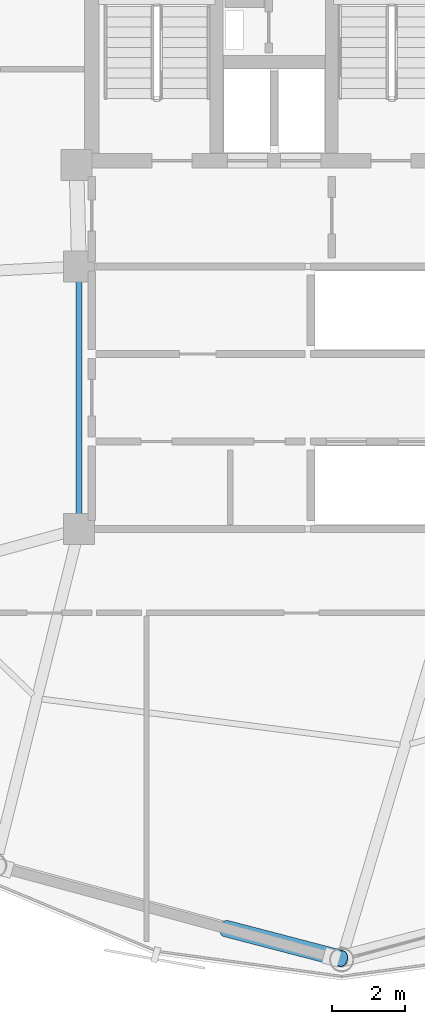
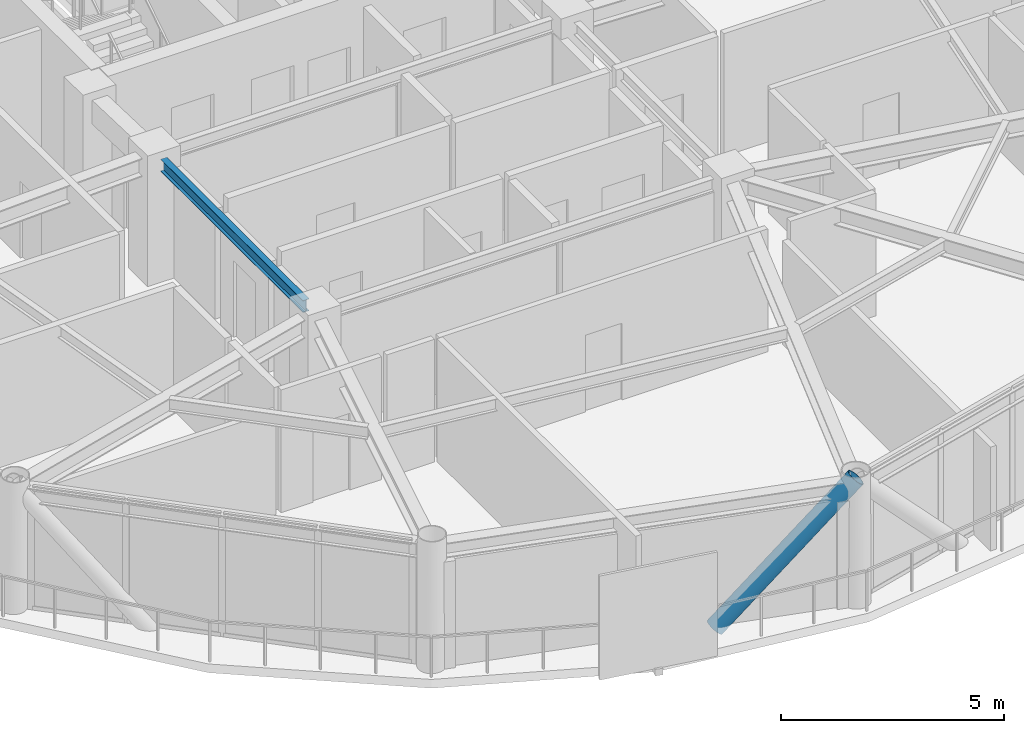
# One storey, part 6 of 28: 1 beam, 1 member.
"""IFC4 building model written with IfcOpenShell, lengths in metres."""

import ifcopenshell
import ifcopenshell.guid

model = None  # the IFC model being written
_history = None  # IfcOwnerHistory: only IFC2X3 demands one
_inside = {}  # id of a spatial element -> (the spatial element, [elements in it])
_under = {}  # id of a project, library or spatial element -> (it, [spatial elements below it])
_declared = {}  # id of a project -> (the project, [libraries it declares])
_typed = {}  # id of a type object -> (the type object, [elements of that type])
_made_of = {}  # id of a material, layer set ... -> (it, [elements and type objects made of it])


def new_model(schema):
    """Start an empty IFC model of exactly this schema.

    Asked for "IFC4X3", IfcOpenShell would pick the latest addendum, in which some entities
    have other attributes; the version numbers below select the first issue.
    IFC2X3 requires an IfcOwnerHistory on every rooted entity: one is made here for all.
    """
    global model, _history
    if schema == "IFC4X3":
        model = ifcopenshell.file(schema_version=(4, 3, 0, 0))
    else:
        model = ifcopenshell.file(schema=schema)
    _inside.clear()
    _under.clear()
    _declared.clear()
    _typed.clear()
    _made_of.clear()
    _history = None
    if model.schema == "IFC2X3":
        org = make("IfcOrganization", Name="unknown")
        user = make(
            "IfcPersonAndOrganization",
            ThePerson=make("IfcPerson", FamilyName="unknown"),
            TheOrganization=org,
        )
        app = make(
            "IfcApplication",
            ApplicationDeveloper=org,
            Version="unknown",
            ApplicationFullName="unknown",
            ApplicationIdentifier="unknown",
        )
        _history = make(
            "IfcOwnerHistory",
            OwningUser=user,
            OwningApplication=app,
            ChangeAction="ADDED",
            CreationDate=0,
        )
    return model


def make(cls, **values):
    """One entity of the class cls with the attributes given. An attribute that is None is left unset."""
    return model.create_entity(
        cls, **{name: value for name, value in values.items() if value is not None}
    )


def rooted(cls, **values):
    """An entity with a GlobalId (a new one), such as an element, a storey or a relation."""
    return make(cls, GlobalId=ifcopenshell.guid.new(), OwnerHistory=_history, **values)


def si_unit(unit_type, name, prefix=None):
    """IfcSIUnit, for example si_unit("LENGTHUNIT", "METRE", prefix="MILLI")."""
    return make("IfcSIUnit", UnitType=unit_type, Prefix=prefix, Name=name)


def assignment(units):
    """IfcUnitAssignment: the units of a project."""
    return None if units is None else make("IfcUnitAssignment", Units=units)


def point(xyz):
    """IfcCartesianPoint."""
    return None if xyz is None else make("IfcCartesianPoint", Coordinates=xyz)


def direction(xyz):
    """IfcDirection."""
    return None if xyz is None else make("IfcDirection", DirectionRatios=xyz)


def frame(location, z_axis=None, x_axis=None):
    """IfcAxis2Placement3D, a coordinate frame: its origin and axes. An axis left out is left unset."""
    return make(
        "IfcAxis2Placement3D",
        Location=point(location),
        Axis=direction(z_axis),
        RefDirection=direction(x_axis),
    )


def frame_2d(location, x_axis=None):
    """IfcAxis2Placement2D, a coordinate frame in the plane: its origin and x axis."""
    return make(
        "IfcAxis2Placement2D", Location=point(location), RefDirection=direction(x_axis)
    )


def origin():
    """The frame at (0, 0, 0) with its axes left unset."""
    return frame((0.0, 0.0, 0.0))


def origin_2d():
    """The frame at (0, 0) in the plane with its x axis left unset."""
    return frame_2d((0.0, 0.0))


def place(relative_to, where):
    """IfcLocalPlacement: puts the frame where relative to a parent placement (None: the world)."""
    return make(
        "IfcLocalPlacement", PlacementRelTo=relative_to, RelativePlacement=where
    )


def context(
    kind, dimensions, precision=None, world=None, true_north=None, identifier=None
):
    """IfcGeometricRepresentationContext, for example the 3D "Model" context."""
    return make(
        "IfcGeometricRepresentationContext",
        ContextIdentifier=identifier,
        ContextType=kind,
        CoordinateSpaceDimension=dimensions,
        Precision=precision,
        WorldCoordinateSystem=world,
        TrueNorth=true_north,
    )


def subcontext(parent, identifier, kind, view, scale=None):
    """IfcGeometricRepresentationSubContext, for example "Body" below "Model"."""
    return make(
        "IfcGeometricRepresentationSubContext",
        ContextIdentifier=identifier,
        ContextType=kind,
        ParentContext=parent,
        TargetScale=scale,
        TargetView=view,
    )


def project(units=None, contexts=None):
    """IfcProject with its units and contexts."""
    return rooted(
        "IfcProject",
        Name="project",
        RepresentationContexts=contexts,
        UnitsInContext=assignment(units),
    )


def spatial(cls, under=None, at=None, **own):
    """A site, building, storey or space (cls), placed at a placement, below another one or the project."""
    s = rooted(cls, ObjectPlacement=at, **own)
    if under is not None:
        _under.setdefault(under.id(), (under, []))[1].append(s)
    return s


def profile(cls, at=None, kind="AREA", **sizes):
    """A parametric profile (cls). Its sizes go by their IFC names, for example OverallWidth=200.0."""
    return make(cls, ProfileType=kind, Position=at, **sizes)


def hollow_circle(**sizes):
    """IfcCircleHollowProfileDef."""
    return profile("IfcCircleHollowProfileDef", **sizes)


def i_section(**sizes):
    """IfcIShapeProfileDef."""
    return profile("IfcIShapeProfileDef", **sizes)


def extrude(swept, where, along, depth):
    """IfcExtrudedAreaSolid: the profile swept, set in the frame where, extruded along a direction by depth."""
    return make(
        "IfcExtrudedAreaSolid",
        SweptArea=swept,
        Position=where,
        ExtrudedDirection=direction(along),
        Depth=depth,
    )


def shape(context_of_items, identifier, shape_type, items):
    """IfcShapeRepresentation: the items that make up one representation, for example the "Body"."""
    return make(
        "IfcShapeRepresentation",
        ContextOfItems=context_of_items,
        RepresentationIdentifier=identifier,
        RepresentationType=shape_type,
        Items=items,
    )


def material(Name=None, Category=None):
    """IfcMaterial."""
    return make("IfcMaterial", Name=Name, Category=Category)


def material_profile(
    of_material, cross_section, Name=None, Category=None, Priority=None
):
    """IfcMaterialProfile: a cross section and its material."""
    return make(
        "IfcMaterialProfile",
        Name=Name,
        Material=of_material,
        Profile=cross_section,
        Priority=Priority,
        Category=Category,
    )


def profile_set(profiles, Name=None, composite=None):
    """IfcMaterialProfileSet."""
    return make(
        "IfcMaterialProfileSet",
        Name=Name,
        MaterialProfiles=profiles,
        CompositeProfile=composite,
    )


def made_of(thing, what):
    """Note that an element or type object is made of a material, layer set ...; save() writes the relation."""
    if what is not None:
        _made_of.setdefault(what.id(), (what, []))[1].append(thing)
    return thing


def type_object(cls, material=None, **own):
    """A type object (cls), such as IfcWallType, which elements share."""
    return made_of(rooted(cls, **own), material)


def element(
    cls,
    number,
    at=None,
    inside=None,
    cuts=None,
    type_object=None,
    material=None,
    context=None,
    identifier="Body",
    shape_type=None,
    held_by="IfcProductDefinitionShape",
    body=None,
    shapes=None,
    **own,
):
    """One element of the class cls, such as IfcWall. Its Tag is "e" and its number.

    at: its placement. inside: the storey or other place that contains it. cuts: it is an
    opening in that element (IfcRelVoidsElement). A single representation is given by context,
    identifier, shape_type and body (its items); several are given by shapes. held_by: the class
    of the entity that holds the representations. save() writes the other relations.
    """
    e = rooted(cls, Tag="e%d" % number, ObjectPlacement=at, **own)
    if body is not None:
        shapes = [shape(context, identifier, shape_type, body)]
    if shapes is not None:
        e.Representation = make(held_by, Representations=shapes)
    if inside is not None:
        _inside.setdefault(inside.id(), (inside, []))[1].append(e)
    if cuts is not None:
        rooted(
            "IfcRelVoidsElement", RelatingBuildingElement=cuts, RelatedOpeningElement=e
        )
    if type_object is not None:
        _typed.setdefault(type_object.id(), (type_object, []))[1].append(e)
    return made_of(e, material)


def aggregate(whole, parts):
    """IfcRelAggregates: a whole, such as a stair, and the parts it consists of."""
    return rooted("IfcRelAggregates", RelatingObject=whole, RelatedObjects=parts)


def save(model, path):
    """Write the relations noted so far, then the file.

    IfcRelAggregates (storeys below a building ...), IfcRelContainedInSpatialStructure (elements
    in a storey), IfcRelDefinesByType, IfcRelAssociatesMaterial and IfcRelDeclares: one each for
    every whole, place, type object, material and project.
    """
    for whole, parts in _under.values():
        aggregate(whole, parts)
    for where, things in _inside.values():
        rooted(
            "IfcRelContainedInSpatialStructure",
            RelatedElements=things,
            RelatingStructure=where,
        )
    for kind, things in _typed.values():
        rooted("IfcRelDefinesByType", RelatedObjects=things, RelatingType=kind)
    for what, things in _made_of.values():
        rooted("IfcRelAssociatesMaterial", RelatedObjects=things, RelatingMaterial=what)
    for by, libraries in _declared.values():
        rooted("IfcRelDeclares", RelatingContext=by, RelatedDefinitions=libraries)
    model.write(path)


model = new_model("IFC4")

# Units and contexts
model_context = context("Model", 3, precision=1e-05, world=origin(), true_north=direction((0.0, 1.0)))
body_context = subcontext(model_context, "Body", "Model", "MODEL_VIEW")
ifc_project = project(units=[si_unit("LENGTHUNIT", "METRE"), si_unit("AREAUNIT", "SQUARE_METRE"), si_unit("VOLUMEUNIT", "CUBIC_METRE"), si_unit("PLANEANGLEUNIT", "RADIAN"), si_unit("MASSUNIT", "GRAM", prefix="KILO")], contexts=[model_context])

# Site, building, storey
site_placement = place(None, origin())
site = spatial("IfcSite", under=ifc_project, at=site_placement, CompositionType="ELEMENT")
building_placement = place(site_placement, origin())
building = spatial("IfcBuilding", under=site, at=building_placement, Name="Varnakorn Sky Granary", CompositionType="ELEMENT")
storey_placement = place(building_placement, frame((0.0, 0.0, 211.199951171875)))
storey = spatial("IfcBuildingStorey", under=building, at=storey_placement, Name="L53", CompositionType="ELEMENT", Elevation=211.199951171875)

# Beam
ifc_material_1 = material(Name="Steel S355JR", Category="steel")
ifc_material_profile_1 = material_profile(ifc_material_1, i_section(OverallWidth=0.159912109375, OverallDepth=0.330078125, WebThickness=0.007568359375, FlangeThickness=0.011474609375, at=origin_2d()), Name="IPE 330")
ifc_profile_set_1 = profile_set([ifc_material_profile_1], Name="Steel S355JR")
beam_type = type_object("IfcBeamType", Name="BM-SEC-Z4", PredefinedType="BEAM", material=ifc_profile_set_1)
beam_placement = place(storey_placement, frame((-2.35009765625, 0.195068359375, 3.195068359375), z_axis=(0.0, -1.0, 0.0), x_axis=(1.0, 0.0, 0.0)))
element("IfcBeam", 1, at=beam_placement, inside=storey, type_object=beam_type, Name="Core Spine Framing Beam 3 L53", PredefinedType="BEAM", context=body_context, shape_type="SweptSolid", body=[
    extrude(i_section(OverallWidth=0.159912109375, OverallDepth=0.330078125, WebThickness=0.007568359375, FlangeThickness=0.011474609375, at=origin_2d()), origin(), (0.0, 0.0, 1.0), 6.39013671875),
])

# Member
ifc_material_2 = material(Name="Steel S460M", Category="steel")
ifc_material_profile_2 = material_profile(ifc_material_2, hollow_circle(Radius=0.228515625, WallThickness=0.01611328125, at=origin_2d()), Name="CHS 457x16")
ifc_profile_set_2 = profile_set([ifc_material_profile_2], Name="Steel S460M")
member_type = type_object("IfcMemberType", Name="MB-DIAG-T3", PredefinedType="BRACE", material=ifc_profile_set_2)
member_placement = place(storey_placement, frame((1.677001953125, -17.5498046875, -0.1298828125), z_axis=(0.662605706246, -0.17272510062, 0.728779608432), x_axis=(0.252246105295, 0.967663114086, 0.0)))
element("IfcMember", 2, at=member_placement, inside=storey, type_object=member_type, Name="Perimeter CHS Diagrid Brace DG09 L53", PredefinedType="BRACE", context=body_context, shape_type="SweptSolid", body=[
    extrude(hollow_circle(Radius=0.228515625, WallThickness=0.01611328125, at=origin_2d()), origin(), (0.0, 0.0, 1.0), 4.788818359375),
])

save(model, "model.ifc")
